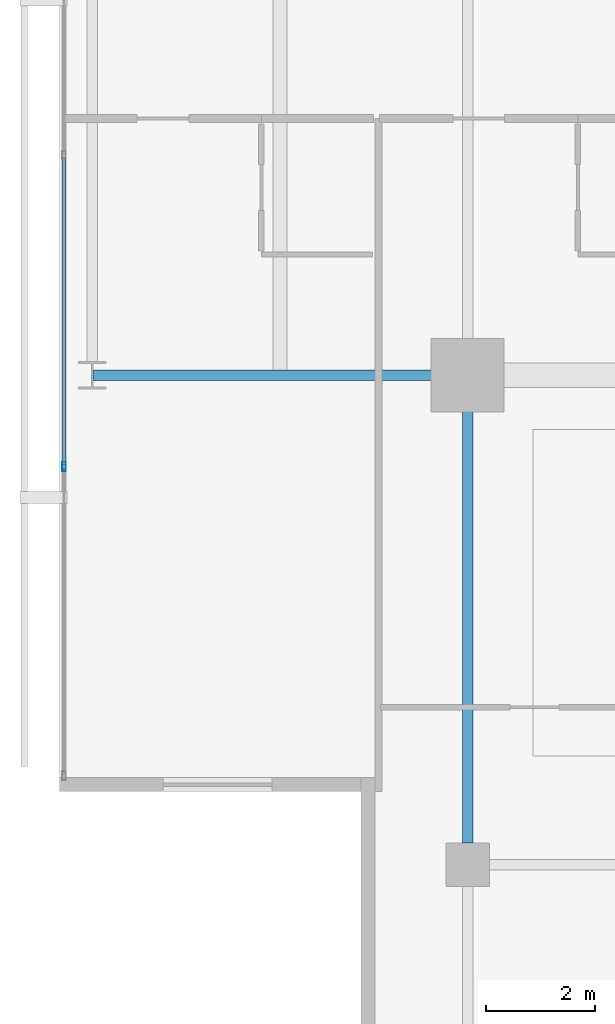
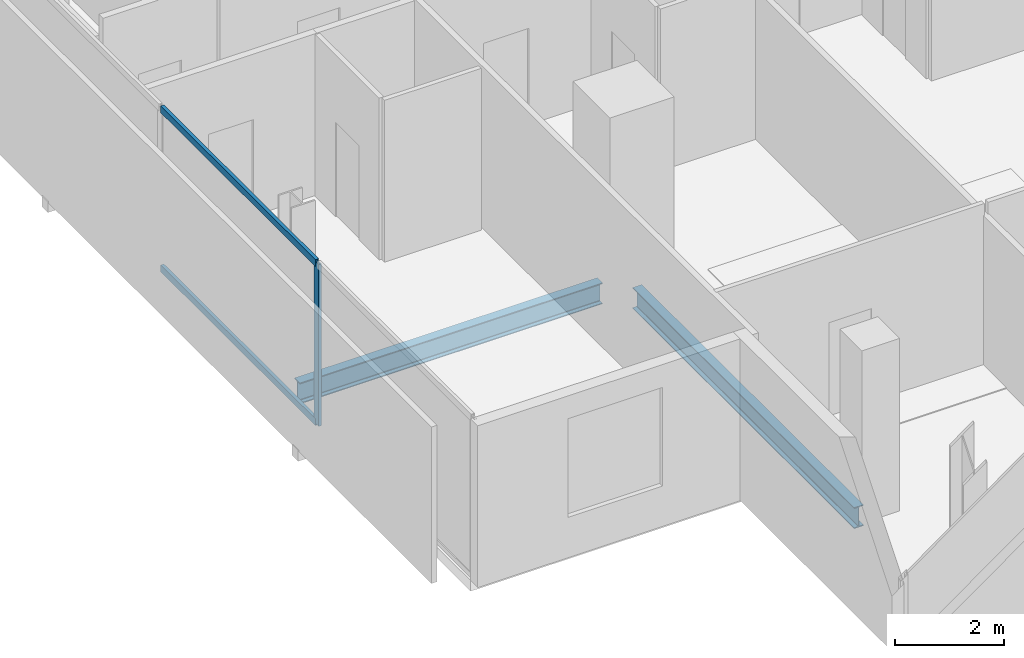
# One storey, part 4 of 24: 3 members, 2 beams, 1 element without a shape of its own.
"""IFC4 building model written with IfcOpenShell, lengths in metres."""

import ifcopenshell
import ifcopenshell.guid

model = None  # the IFC model being written
_history = None  # IfcOwnerHistory: only IFC2X3 demands one
_inside = {}  # id of a spatial element -> (the spatial element, [elements in it])
_under = {}  # id of a project, library or spatial element -> (it, [spatial elements below it])
_declared = {}  # id of a project -> (the project, [libraries it declares])
_typed = {}  # id of a type object -> (the type object, [elements of that type])
_made_of = {}  # id of a material, layer set ... -> (it, [elements and type objects made of it])


def new_model(schema):
    """Start an empty IFC model of exactly this schema.

    Asked for "IFC4X3", IfcOpenShell would pick the latest addendum, in which some entities
    have other attributes; the version numbers below select the first issue.
    IFC2X3 requires an IfcOwnerHistory on every rooted entity: one is made here for all.
    """
    global model, _history
    if schema == "IFC4X3":
        model = ifcopenshell.file(schema_version=(4, 3, 0, 0))
    else:
        model = ifcopenshell.file(schema=schema)
    _inside.clear()
    _under.clear()
    _declared.clear()
    _typed.clear()
    _made_of.clear()
    _history = None
    if model.schema == "IFC2X3":
        org = make("IfcOrganization", Name="unknown")
        user = make(
            "IfcPersonAndOrganization",
            ThePerson=make("IfcPerson", FamilyName="unknown"),
            TheOrganization=org,
        )
        app = make(
            "IfcApplication",
            ApplicationDeveloper=org,
            Version="unknown",
            ApplicationFullName="unknown",
            ApplicationIdentifier="unknown",
        )
        _history = make(
            "IfcOwnerHistory",
            OwningUser=user,
            OwningApplication=app,
            ChangeAction="ADDED",
            CreationDate=0,
        )
    return model


def make(cls, **values):
    """One entity of the class cls with the attributes given. An attribute that is None is left unset."""
    return model.create_entity(
        cls, **{name: value for name, value in values.items() if value is not None}
    )


def rooted(cls, **values):
    """An entity with a GlobalId (a new one), such as an element, a storey or a relation."""
    return make(cls, GlobalId=ifcopenshell.guid.new(), OwnerHistory=_history, **values)


def si_unit(unit_type, name, prefix=None):
    """IfcSIUnit, for example si_unit("LENGTHUNIT", "METRE", prefix="MILLI")."""
    return make("IfcSIUnit", UnitType=unit_type, Prefix=prefix, Name=name)


def assignment(units):
    """IfcUnitAssignment: the units of a project."""
    return None if units is None else make("IfcUnitAssignment", Units=units)


def point(xyz):
    """IfcCartesianPoint."""
    return None if xyz is None else make("IfcCartesianPoint", Coordinates=xyz)


def direction(xyz):
    """IfcDirection."""
    return None if xyz is None else make("IfcDirection", DirectionRatios=xyz)


def frame(location, z_axis=None, x_axis=None):
    """IfcAxis2Placement3D, a coordinate frame: its origin and axes. An axis left out is left unset."""
    return make(
        "IfcAxis2Placement3D",
        Location=point(location),
        Axis=direction(z_axis),
        RefDirection=direction(x_axis),
    )


def frame_2d(location, x_axis=None):
    """IfcAxis2Placement2D, a coordinate frame in the plane: its origin and x axis."""
    return make(
        "IfcAxis2Placement2D", Location=point(location), RefDirection=direction(x_axis)
    )


def origin():
    """The frame at (0, 0, 0) with its axes left unset."""
    return frame((0.0, 0.0, 0.0))


def origin_2d():
    """The frame at (0, 0) in the plane with its x axis left unset."""
    return frame_2d((0.0, 0.0))


def place(relative_to, where):
    """IfcLocalPlacement: puts the frame where relative to a parent placement (None: the world)."""
    return make(
        "IfcLocalPlacement", PlacementRelTo=relative_to, RelativePlacement=where
    )


def context(
    kind, dimensions, precision=None, world=None, true_north=None, identifier=None
):
    """IfcGeometricRepresentationContext, for example the 3D "Model" context."""
    return make(
        "IfcGeometricRepresentationContext",
        ContextIdentifier=identifier,
        ContextType=kind,
        CoordinateSpaceDimension=dimensions,
        Precision=precision,
        WorldCoordinateSystem=world,
        TrueNorth=true_north,
    )


def subcontext(parent, identifier, kind, view, scale=None):
    """IfcGeometricRepresentationSubContext, for example "Body" below "Model"."""
    return make(
        "IfcGeometricRepresentationSubContext",
        ContextIdentifier=identifier,
        ContextType=kind,
        ParentContext=parent,
        TargetScale=scale,
        TargetView=view,
    )


def project(units=None, contexts=None):
    """IfcProject with its units and contexts."""
    return rooted(
        "IfcProject",
        Name="project",
        RepresentationContexts=contexts,
        UnitsInContext=assignment(units),
    )


def spatial(cls, under=None, at=None, **own):
    """A site, building, storey or space (cls), placed at a placement, below another one or the project."""
    s = rooted(cls, ObjectPlacement=at, **own)
    if under is not None:
        _under.setdefault(under.id(), (under, []))[1].append(s)
    return s


def profile(cls, at=None, kind="AREA", **sizes):
    """A parametric profile (cls). Its sizes go by their IFC names, for example OverallWidth=200.0."""
    return make(cls, ProfileType=kind, Position=at, **sizes)


def hollow_rectangle(**sizes):
    """IfcRectangleHollowProfileDef."""
    return profile("IfcRectangleHollowProfileDef", **sizes)


def i_section(**sizes):
    """IfcIShapeProfileDef."""
    return profile("IfcIShapeProfileDef", **sizes)


def extrude(swept, where, along, depth):
    """IfcExtrudedAreaSolid: the profile swept, set in the frame where, extruded along a direction by depth."""
    return make(
        "IfcExtrudedAreaSolid",
        SweptArea=swept,
        Position=where,
        ExtrudedDirection=direction(along),
        Depth=depth,
    )


def shape(context_of_items, identifier, shape_type, items):
    """IfcShapeRepresentation: the items that make up one representation, for example the "Body"."""
    return make(
        "IfcShapeRepresentation",
        ContextOfItems=context_of_items,
        RepresentationIdentifier=identifier,
        RepresentationType=shape_type,
        Items=items,
    )


def material(Name=None, Category=None):
    """IfcMaterial."""
    return make("IfcMaterial", Name=Name, Category=Category)


def layer(
    of_material, thickness, ventilated=None, Name=None, Category=None, Priority=None
):
    """IfcMaterialLayer: one layer of a wall or slab, of a material (None: an air gap)."""
    return make(
        "IfcMaterialLayer",
        Material=of_material,
        LayerThickness=thickness,
        IsVentilated=ventilated,
        Name=Name,
        Category=Category,
        Priority=Priority,
    )


def layer_set(layers, Name=None):
    """IfcMaterialLayerSet."""
    return make("IfcMaterialLayerSet", MaterialLayers=layers, LayerSetName=Name)


def material_profile(
    of_material, cross_section, Name=None, Category=None, Priority=None
):
    """IfcMaterialProfile: a cross section and its material."""
    return make(
        "IfcMaterialProfile",
        Name=Name,
        Material=of_material,
        Profile=cross_section,
        Priority=Priority,
        Category=Category,
    )


def profile_set(profiles, Name=None, composite=None):
    """IfcMaterialProfileSet."""
    return make(
        "IfcMaterialProfileSet",
        Name=Name,
        MaterialProfiles=profiles,
        CompositeProfile=composite,
    )


def made_of(thing, what):
    """Note that an element or type object is made of a material, layer set ...; save() writes the relation."""
    if what is not None:
        _made_of.setdefault(what.id(), (what, []))[1].append(thing)
    return thing


def type_object(cls, material=None, **own):
    """A type object (cls), such as IfcWallType, which elements share."""
    return made_of(rooted(cls, **own), material)


def element(
    cls,
    number,
    at=None,
    inside=None,
    cuts=None,
    type_object=None,
    material=None,
    context=None,
    identifier="Body",
    shape_type=None,
    held_by="IfcProductDefinitionShape",
    body=None,
    shapes=None,
    **own,
):
    """One element of the class cls, such as IfcWall. Its Tag is "e" and its number.

    at: its placement. inside: the storey or other place that contains it. cuts: it is an
    opening in that element (IfcRelVoidsElement). A single representation is given by context,
    identifier, shape_type and body (its items); several are given by shapes. held_by: the class
    of the entity that holds the representations. save() writes the other relations.
    """
    e = rooted(cls, Tag="e%d" % number, ObjectPlacement=at, **own)
    if body is not None:
        shapes = [shape(context, identifier, shape_type, body)]
    if shapes is not None:
        e.Representation = make(held_by, Representations=shapes)
    if inside is not None:
        _inside.setdefault(inside.id(), (inside, []))[1].append(e)
    if cuts is not None:
        rooted(
            "IfcRelVoidsElement", RelatingBuildingElement=cuts, RelatedOpeningElement=e
        )
    if type_object is not None:
        _typed.setdefault(type_object.id(), (type_object, []))[1].append(e)
    return made_of(e, material)


def aggregate(whole, parts):
    """IfcRelAggregates: a whole, such as a stair, and the parts it consists of."""
    return rooted("IfcRelAggregates", RelatingObject=whole, RelatedObjects=parts)


def save(model, path):
    """Write the relations noted so far, then the file.

    IfcRelAggregates (storeys below a building ...), IfcRelContainedInSpatialStructure (elements
    in a storey), IfcRelDefinesByType, IfcRelAssociatesMaterial and IfcRelDeclares: one each for
    every whole, place, type object, material and project.
    """
    for whole, parts in _under.values():
        aggregate(whole, parts)
    for where, things in _inside.values():
        rooted(
            "IfcRelContainedInSpatialStructure",
            RelatedElements=things,
            RelatingStructure=where,
        )
    for kind, things in _typed.values():
        rooted("IfcRelDefinesByType", RelatedObjects=things, RelatingType=kind)
    for what, things in _made_of.values():
        rooted("IfcRelAssociatesMaterial", RelatedObjects=things, RelatingMaterial=what)
    for by, libraries in _declared.values():
        rooted("IfcRelDeclares", RelatingContext=by, RelatedDefinitions=libraries)
    model.write(path)


model = new_model("IFC4")

# Units and contexts
model_context = context("Model", 3, precision=1e-05, world=origin(), true_north=direction((0.0, 1.0)))
body_context = subcontext(model_context, "Body", "Model", "MODEL_VIEW")
ifc_project = project(units=[si_unit("LENGTHUNIT", "METRE"), si_unit("AREAUNIT", "SQUARE_METRE"), si_unit("VOLUMEUNIT", "CUBIC_METRE"), si_unit("PLANEANGLEUNIT", "RADIAN"), si_unit("MASSUNIT", "GRAM", prefix="KILO")], contexts=[model_context])

# Site, building, storey
site_placement = place(None, origin())
site = spatial("IfcSite", under=ifc_project, at=site_placement, CompositionType="ELEMENT")
building_placement = place(site_placement, origin())
building = spatial("IfcBuilding", under=site, at=building_placement, Name="Maruvema Waterfront Hotel and Observation Tower", CompositionType="ELEMENT")
storey_placement = place(building_placement, frame((0.0, 0.0, 333.550048828125)))
storey = spatial("IfcBuildingStorey", under=building, at=storey_placement, Name="L82", CompositionType="ELEMENT", Elevation=333.550048828125)

# Curtain wall, members
ifc_material_1 = material(Name="Anodised bronze aluminium and solar-control low-E IGU", Category="aluminium")
ifc_layer = layer(ifc_material_1, 0.159912109375, Name="Zone 4 Sky Residence Inner Curtain Wall System CW-05")
ifc_layer_set = layer_set([ifc_layer], Name="Anodised bronze aluminium and solar-control low-E IGU")
curtain_wall_type = type_object("IfcCurtainWallType", Name="Zone 4 Sky Residence Inner Curtain Wall System CW-05", PredefinedType="USERDEFINED", material=ifc_layer_set)
curtain_wall_placement = place(storey_placement, origin())
curtain_wall = element("IfcCurtainWall", 1, at=curtain_wall_placement, inside=storey, type_object=curtain_wall_type, Name="L82 Curtain Wall CW-L82-W", ObjectType="UNITISED CURTAIN WALL", PredefinedType="USERDEFINED")
ifc_material_2 = material(Name="Anodised architectural bronze aluminium", Category="aluminium")
ifc_material_profile_1 = material_profile(ifc_material_2, hollow_rectangle(XDim=0.070068359375, YDim=0.14990234375, WallThickness=0.00390625, at=origin_2d()), Name="ALU-T70x150")
ifc_profile_set_1 = profile_set([ifc_material_profile_1], Name="Anodised architectural bronze aluminium")
member_type_1 = type_object("IfcMemberType", Name="Curtain Wall Horizontal Transom ALU-T70x150", PredefinedType="USERDEFINED", material=ifc_profile_set_1)
member_1_placement = place(storey_placement, frame((17.780029296875, 31.010009765625, 0.030029296875), z_axis=(0.0, -1.0, 0.0), x_axis=(1.0, 0.0, 0.0)))
member_1 = element("IfcMember", 2, at=member_1_placement, type_object=member_type_1, Name="CW-05 transom 4.1", ObjectType="TRANSOM", PredefinedType="USERDEFINED", context=body_context, shape_type="SweptSolid", body=[
    extrude(hollow_rectangle(XDim=0.070068359375, YDim=0.14990234375, WallThickness=0.00390625, at=origin_2d()), origin(), (0.0, 0.0, 1.0), 5.659912109375),
])
member_2_placement = place(storey_placement, frame((17.780029296875, 31.010009765625, 3.579833984375), z_axis=(0.0, -1.0, 0.0), x_axis=(1.0, 0.0, 0.0)))
member_2 = element("IfcMember", 3, at=member_2_placement, type_object=member_type_1, Name="CW-05 transom 4.2", ObjectType="TRANSOM", PredefinedType="USERDEFINED", context=body_context, shape_type="SweptSolid", body=[
    extrude(hollow_rectangle(XDim=0.070068359375, YDim=0.14990234375, WallThickness=0.00390625, at=origin_2d()), origin(), (0.0, 0.0, 1.0), 5.659912109375),
])
ifc_material_3 = material(Name="Anodised architectural bronze aluminium", Category="aluminium")
ifc_material_profile_2 = material_profile(ifc_material_3, hollow_rectangle(XDim=0.06494140625, YDim=0.1650390625, WallThickness=0.00390625, at=origin_2d()), Name="ALU-M65x165")
ifc_profile_set_2 = profile_set([ifc_material_profile_2], Name="Anodised architectural bronze aluminium")
member_type_2 = type_object("IfcMemberType", Name="Curtain Wall Primary Mullion ALU-M65x165", PredefinedType="MULLION", material=ifc_profile_set_2)
member_3_placement = place(storey_placement, frame((17.780029296875, 25.320068359375, 0.0), z_axis=(0.0, 0.0, 1.0), x_axis=(1.0, 0.0, 0.0)))
member_3 = element("IfcMember", 4, at=member_3_placement, type_object=member_type_2, Name="CW-05 mullion 5", PredefinedType="MULLION", context=body_context, shape_type="SweptSolid", body=[
    extrude(hollow_rectangle(XDim=0.06494140625, YDim=0.1650390625, WallThickness=0.00390625, at=origin_2d()), origin(), (0.0, 0.0, 1.0), 3.60986328125),
])
aggregate(curtain_wall, [member_3, member_1, member_2])

# Beams
ifc_material_4 = material(Name="Steel ASTM A572 Grade 50", Category="steel")
ifc_material_profile_3 = material_profile(ifc_material_4, i_section(OverallWidth=0.194091796875, OverallDepth=0.468994140625, WebThickness=0.0126953125, FlangeThickness=0.0205078125, FilletRadius=0.014892578125, at=origin_2d()), Name="W460x106.0")
ifc_profile_set_3 = profile_set([ifc_material_profile_3], Name="Steel ASTM A572 Grade 50")
beam_type = type_object("IfcBeamType", Name="Primary Floor Girder W460x106.0", PredefinedType="BEAM", material=ifc_profile_set_3)
beam_1_placement = place(storey_placement, frame((18.31103515625, 27.0, -0.474609375), z_axis=(1.0, 0.0, 0.0), x_axis=(0.0, 1.0, 0.0)))
element("IfcBeam", 5, at=beam_1_placement, inside=storey, type_object=beam_type, Name="L82 Floor Girder EW-07", PredefinedType="BEAM", context=body_context, shape_type="SweptSolid", body=[
    extrude(i_section(OverallWidth=0.194091796875, OverallDepth=0.468994140625, WebThickness=0.0126953125, FlangeThickness=0.0205078125, FilletRadius=0.014892578125, at=origin_2d()), origin(), (0.0, 0.0, 1.0), 6.388916015625),
])
beam_2_placement = place(storey_placement, frame((25.199951171875, 18.39990234375, -0.474609375), z_axis=(0.0, 1.0, 0.0), x_axis=(-1.0, 0.0, 0.0)))
element("IfcBeam", 6, at=beam_2_placement, inside=storey, type_object=beam_type, Name="L82 Floor Girder NS-04", PredefinedType="BEAM", context=body_context, shape_type="SweptSolid", body=[
    extrude(i_section(OverallWidth=0.194091796875, OverallDepth=0.468994140625, WebThickness=0.0126953125, FlangeThickness=0.0205078125, FilletRadius=0.014892578125, at=origin_2d()), origin(), (0.0, 0.0, 1.0), 8.10009765625),
])

save(model, "model.ifc")
